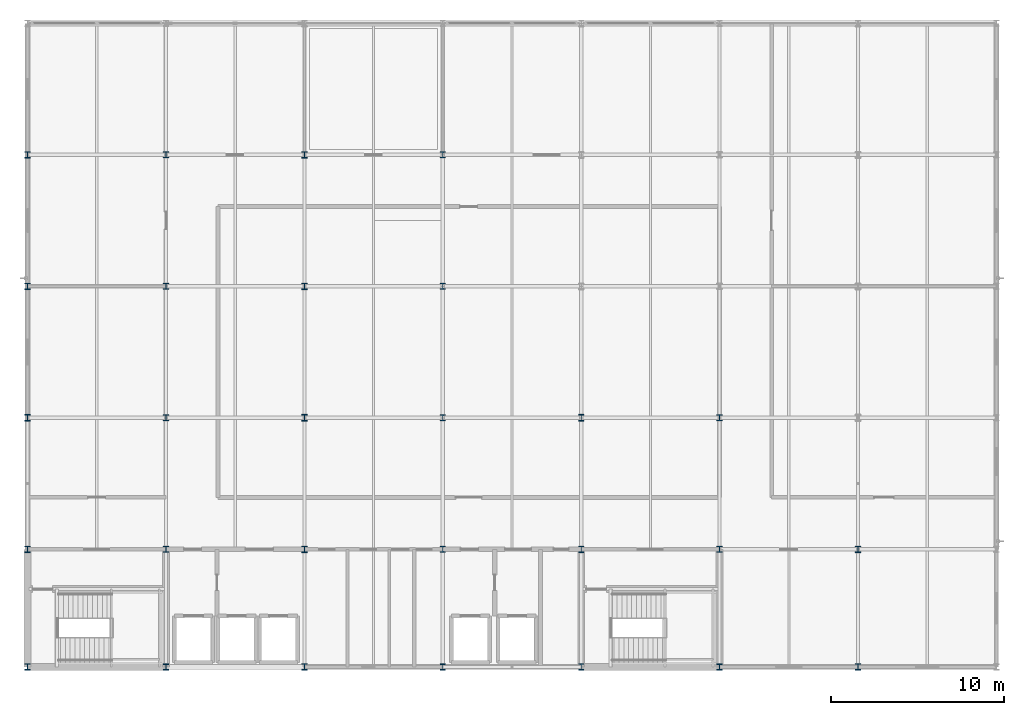
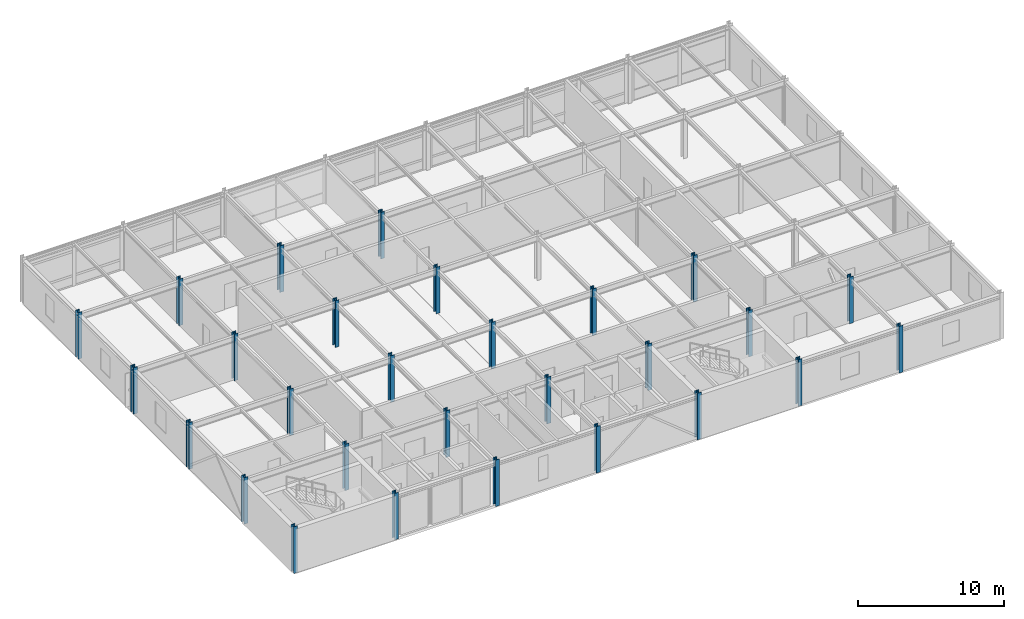
# One storey, part 1 of 15: 28 columns.
"""IFC4 building model written with IfcOpenShell, lengths in metres."""

from ifc_helpers import new_model, si_unit, direction, frame, origin, origin_2d, place, context, subcontext, project, spatial, i_section, extrude, material, material_profile, profile_set, type_object, element, save


model = new_model("IFC4")

# Units and contexts
model_context = context("Model", 3, precision=1e-05, world=origin(), true_north=direction((0.0, 1.0)))
body_context = subcontext(model_context, "Body", "Model", "MODEL_VIEW")
ifc_project = project(units=[si_unit("LENGTHUNIT", "METRE"), si_unit("AREAUNIT", "SQUARE_METRE"), si_unit("VOLUMEUNIT", "CUBIC_METRE"), si_unit("PLANEANGLEUNIT", "RADIAN"), si_unit("MASSUNIT", "GRAM", prefix="KILO")], contexts=[model_context])

# Site, building, storey
site_placement = place(None, origin())
site = spatial("IfcSite", under=ifc_project, at=site_placement, CompositionType="ELEMENT")
building_placement = place(site_placement, origin())
building = spatial("IfcBuilding", under=site, at=building_placement, Name="Shalkamar Park Central Library", CompositionType="ELEMENT")
storey_placement = place(building_placement, frame((0.0, 0.0, 39.89990234375)))
storey = spatial("IfcBuildingStorey", under=building, at=storey_placement, Name="L10", CompositionType="ELEMENT", Elevation=39.89990234375)

# Columns
ifc_material = material(Name="Steel S355", Category="steel")
ifc_material_profile_1 = material_profile(ifc_material, i_section(OverallWidth=0.30908203125, OverallDepth=0.35888671875, WebThickness=0.02099609375, FlangeThickness=0.0400390625, FilletRadius=0.027099609375, at=origin_2d()), Name="HEM 320")
ifc_profile_set_1 = profile_set([ifc_material_profile_1], Name="Steel S355")
column_type_1 = type_object("IfcColumnType", Name="Column Steel HEM320", PredefinedType="COLUMN", material=ifc_profile_set_1)
for number, where, z_axis, x_axis, name in (
    (1, (173.0, 248.39990234375, 0.0), (0.0, 0.0, 1.0), (1.0, 0.0, 0.0), "Column 08/B (L10)"),
    (2, (173.0, 255.199951171875, 0.0), (0.0, 0.0, 1.0), (1.0, 0.0, 0.0), "Column 08/C (L10)"),
    (3, (173.0, 262.800048828125, 0.0), (0.0, 0.0, 1.0), (1.0, 0.0, 0.0), "Column 08/D (L10)"),
    (4, (173.0, 270.39990234375, 0.0), (0.0, 0.0, 1.0), (1.0, 0.0, 0.0), "Column 08/E (L10)"),
    (5, (173.0, 278.0, 0.0), (0.0, 0.0, 1.0), (1.0, 0.0, 0.0), "Column 08/F (L10)"),
    (6, (189.0, 248.39990234375, 0.0), (0.0, 0.0, 1.0), (1.0, 0.0, 0.0), "Column 10/B (L10)"),
    (7, (189.0, 255.199951171875, 0.0), (0.0, 0.0, 1.0), (1.0, 0.0, 0.0), "Column 10/C (L10)"),
    (8, (189.0, 262.800048828125, 0.0), (0.0, 0.0, 1.0), (1.0, 0.0, 0.0), "Column 10/D (L10)"),
    (9, (189.0, 270.39990234375, 0.0), (0.0, 0.0, 1.0), (1.0, 0.0, 0.0), "Column 10/E (L10)"),
    (10, (189.0, 278.0, 0.0), (0.0, 0.0, 1.0), (1.0, 0.0, 0.0), "Column 10/F (L10)"),
    (11, (205.0, 248.39990234375, 0.0), (0.0, 0.0, 1.0), (1.0, 0.0, 0.0), "Column 12/B (L10)"),
    (12, (205.0, 255.199951171875, 0.0), (0.0, 0.0, 1.0), (1.0, 0.0, 0.0), "Column 12/C (L10)"),
    (13, (205.0, 262.800048828125, 0.0), (0.0, 0.0, 1.0), (1.0, 0.0, 0.0), "Column 12/D (L10)"),
):
    element("IfcColumn", number, at=place(storey_placement, frame(where, z_axis=z_axis, x_axis=x_axis)), inside=storey, type_object=column_type_1, Name=name, PredefinedType="COLUMN", context=body_context, shape_type="SweptSolid", body=[
        extrude(i_section(OverallWidth=0.30908203125, OverallDepth=0.35888671875, WebThickness=0.02099609375, FlangeThickness=0.0400390625, FilletRadius=0.027099609375, at=origin_2d()), origin(), (0.0, 0.0, 1.0), 3.900146484375),
    ])
ifc_material_profile_2 = material_profile(ifc_material, i_section(OverallWidth=0.30908203125, OverallDepth=0.376953125, WebThickness=0.02099609375, FlangeThickness=0.0400390625, FilletRadius=0.027099609375, at=origin_2d()), Name="HEM 340")
ifc_profile_set_2 = profile_set([ifc_material_profile_2], Name="Steel S355")
column_type_2 = type_object("IfcColumnType", Name="Column Steel HEM340", PredefinedType="COLUMN", material=ifc_profile_set_2)
for number, where, z_axis, x_axis, name in (
    (14, (165.0, 248.39990234375, 0.0), (0.0, 0.0, 1.0), (1.0, 0.0, 0.0), "Column 07/B (L10)"),
    (15, (165.0, 255.199951171875, 0.0), (0.0, 0.0, 1.0), (1.0, 0.0, 0.0), "Column 07/C (L10)"),
    (16, (165.0, 262.800048828125, 0.0), (0.0, 0.0, 1.0), (1.0, 0.0, 0.0), "Column 07/D (L10)"),
    (17, (165.0, 270.39990234375, 0.0), (0.0, 0.0, 1.0), (1.0, 0.0, 0.0), "Column 07/E (L10)"),
    (18, (165.0, 278.0, 0.0), (0.0, 0.0, 1.0), (1.0, 0.0, 0.0), "Column 07/F (L10)"),
    (19, (181.0, 248.39990234375, 0.0), (0.0, 0.0, 1.0), (1.0, 0.0, 0.0), "Column 09/B (L10)"),
    (20, (181.0, 255.199951171875, 0.0), (0.0, 0.0, 1.0), (1.0, 0.0, 0.0), "Column 09/C (L10)"),
    (21, (181.0, 262.800048828125, 0.0), (0.0, 0.0, 1.0), (1.0, 0.0, 0.0), "Column 09/D (L10)"),
    (22, (181.0, 270.39990234375, 0.0), (0.0, 0.0, 1.0), (1.0, 0.0, 0.0), "Column 09/E (L10)"),
    (23, (181.0, 278.0, 0.0), (0.0, 0.0, 1.0), (1.0, 0.0, 0.0), "Column 09/F (L10)"),
    (24, (197.0, 248.39990234375, 0.0), (0.0, 0.0, 1.0), (1.0, 0.0, 0.0), "Column 11/B (L10)"),
    (25, (197.0, 255.199951171875, 0.0), (0.0, 0.0, 1.0), (1.0, 0.0, 0.0), "Column 11/C (L10)"),
    (26, (197.0, 262.800048828125, 0.0), (0.0, 0.0, 1.0), (1.0, 0.0, 0.0), "Column 11/D (L10)"),
    (27, (213.0, 248.39990234375, 0.0), (0.0, 0.0, 1.0), (1.0, 0.0, 0.0), "Column 13/B (L10)"),
    (28, (213.0, 255.199951171875, 0.0), (0.0, 0.0, 1.0), (1.0, 0.0, 0.0), "Column 13/C (L10)"),
):
    element("IfcColumn", number, at=place(storey_placement, frame(where, z_axis=z_axis, x_axis=x_axis)), inside=storey, type_object=column_type_2, Name=name, PredefinedType="COLUMN", context=body_context, shape_type="SweptSolid", body=[
        extrude(i_section(OverallWidth=0.30908203125, OverallDepth=0.376953125, WebThickness=0.02099609375, FlangeThickness=0.0400390625, FilletRadius=0.027099609375, at=origin_2d()), origin(), (0.0, 0.0, 1.0), 3.900146484375),
    ])

save(model, "model.ifc")
